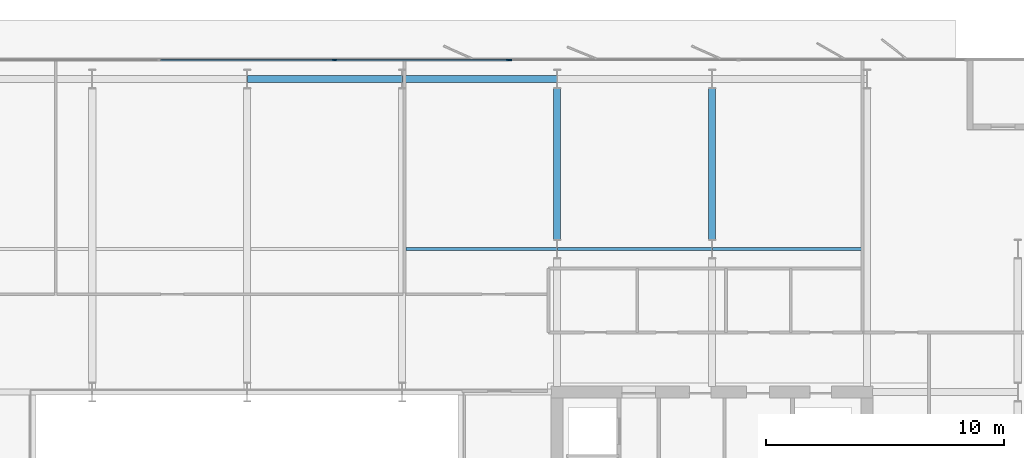
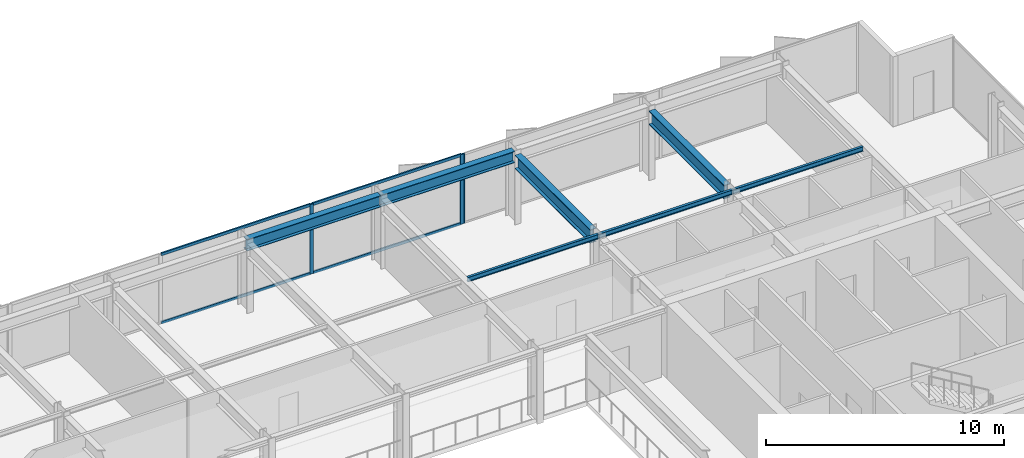
# One storey, part 12 of 23: 7 beams, 7 members, 2 elements without a shape of their own.
"""IFC4 building model written with IfcOpenShell, lengths in metres."""

from ifc_helpers import new_model, si_unit, direction, frame, origin, origin_2d, place, context, subcontext, project, spatial, rectangle, i_section, extrude, material, layer, layer_set, material_profile, profile_set, type_object, element, aggregate, save


model = new_model("IFC4")

# Units and contexts
model_context = context("Model", 3, precision=1e-05, world=origin(), true_north=direction((0.0, 1.0)))
body_context = subcontext(model_context, "Body", "Model", "MODEL_VIEW")
ifc_project = project(units=[si_unit("LENGTHUNIT", "METRE"), si_unit("AREAUNIT", "SQUARE_METRE"), si_unit("VOLUMEUNIT", "CUBIC_METRE"), si_unit("PLANEANGLEUNIT", "RADIAN"), si_unit("MASSUNIT", "GRAM", prefix="KILO")], contexts=[model_context])

# Site, building, storey
site_placement = place(None, origin())
site = spatial("IfcSite", under=ifc_project, at=site_placement, CompositionType="ELEMENT")
building_placement = place(site_placement, origin())
building = spatial("IfcBuilding", under=site, at=building_placement, Name="Putna Gate Headquarters", CompositionType="ELEMENT")
storey_placement = place(building_placement, frame((0.0, 0.0, 202.39990234375)))
storey = spatial("IfcBuildingStorey", under=building, at=storey_placement, Name="L50", CompositionType="ELEMENT", Elevation=202.39990234375)

# Beams
ifc_material_1 = material(Name="Steel S355J2", Category="steel")
ifc_material_profile_1 = material_profile(ifc_material_1, i_section(OverallWidth=0.300048828125, OverallDepth=0.699951171875, WebThickness=0.01708984375, FlangeThickness=0.031982421875, at=origin_2d()), Name="Steel S355J2")
ifc_profile_set_1 = profile_set([ifc_material_profile_1], Name="Steel S355J2")
beam_type_1 = type_object("IfcBeamType", Name="BM-GIRD-B-HEB700", PredefinedType="USERDEFINED", material=ifc_profile_set_1)
for number, where, z_axis, x_axis, name in (
    (1, (52.0, 39.39501953125, 3.22998046875), (0.0, 1.0, 0.0), (-1.0, 0.0, 0.0), "L50 North Primary Girder X52-2"),
    (2, (58.5, 39.39501953125, 3.22998046875), (0.0, 1.0, 0.0), (-1.0, 0.0, 0.0), "L50 North Primary Girder X58-2"),
):
    element("IfcBeam", number, at=place(storey_placement, frame(where, z_axis=z_axis, x_axis=x_axis)), inside=storey, type_object=beam_type_1, Name=name, ObjectType="GIRDER", PredefinedType="USERDEFINED", context=body_context, shape_type="SweptSolid", body=[
        extrude(i_section(OverallWidth=0.300048828125, OverallDepth=0.699951171875, WebThickness=0.01708984375, FlangeThickness=0.031982421875, at=origin_2d()), origin(), (0.0, 0.0, 1.0), 6.330078125),
    ])
ifc_material_profile_2 = material_profile(ifc_material_1, i_section(OverallWidth=0.1201171875, OverallDepth=0.239990234375, WebThickness=0.006103515625, FlangeThickness=0.009765625, at=origin_2d()), Name="Steel S355J2")
ifc_profile_set_2 = profile_set([ifc_material_profile_2], Name="Steel S355J2")
beam_type_2 = type_object("IfcBeamType", Name="BM-SEC-Z4-IPE240", PredefinedType="JOIST", material=ifc_profile_set_2)
beam_1_placement = place(storey_placement, frame((45.654052734375, 39.0, 3.460205078125), z_axis=(1.0, 0.0, 0.0), x_axis=(0.0, 1.0, 0.0)))
element("IfcBeam", 3, at=beam_1_placement, inside=storey, type_object=beam_type_2, Name="L50 North Secondary Beam 6", PredefinedType="JOIST", context=body_context, shape_type="SweptSolid", body=[
    extrude(i_section(OverallWidth=0.1201171875, OverallDepth=0.239990234375, WebThickness=0.006103515625, FlangeThickness=0.009765625, at=origin_2d()), origin(), (0.0, 0.0, 1.0), 6.33984375),
])
beam_2_placement = place(storey_placement, frame((52.006103515625, 39.0, 3.460205078125), z_axis=(1.0, 0.0, 0.0), x_axis=(0.0, 1.0, 0.0)))
element("IfcBeam", 4, at=beam_2_placement, inside=storey, type_object=beam_type_2, Name="L50 North Secondary Beam 7", PredefinedType="JOIST", context=body_context, shape_type="SweptSolid", body=[
    extrude(i_section(OverallWidth=0.1201171875, OverallDepth=0.239990234375, WebThickness=0.006103515625, FlangeThickness=0.009765625, at=origin_2d()), origin(), (0.0, 0.0, 1.0), 6.48779296875),
])
beam_3_placement = place(storey_placement, frame((58.506103515625, 39.0, 3.460205078125), z_axis=(1.0, 0.0, 0.0), x_axis=(0.0, 1.0, 0.0)))
element("IfcBeam", 5, at=beam_3_placement, inside=storey, type_object=beam_type_2, Name="L50 North Secondary Beam 8", PredefinedType="JOIST", context=body_context, shape_type="SweptSolid", body=[
    extrude(i_section(OverallWidth=0.1201171875, OverallDepth=0.239990234375, WebThickness=0.006103515625, FlangeThickness=0.009765625, at=origin_2d()), origin(), (0.0, 0.0, 1.0), 6.33984375),
])
ifc_material_profile_3 = material_profile(ifc_material_1, i_section(OverallWidth=0.300048828125, OverallDepth=0.590087890625, WebThickness=0.012939453125, FlangeThickness=0.02490234375, at=origin_2d()), Name="Steel S355J2")
ifc_profile_set_3 = profile_set([ifc_material_profile_3], Name="Steel S355J2")
beam_type_3 = type_object("IfcBeamType", Name="BM-SPAN-Z4-HEA600", PredefinedType="SPANDREL", material=ifc_profile_set_3)
for number, where, z_axis, x_axis, name in (
    (6, (39.006103515625, 46.1201171875, 3.28515625), (1.0, 0.0, 0.0), (0.0, 1.0, 0.0), "L50 N Perimeter Spandrel 5"),
    (7, (45.506103515625, 46.1201171875, 3.28515625), (1.0, 0.0, 0.0), (0.0, 1.0, 0.0), "L50 N Perimeter Spandrel 6"),
):
    element("IfcBeam", number, at=place(storey_placement, frame(where, z_axis=z_axis, x_axis=x_axis)), inside=storey, type_object=beam_type_3, Name=name, PredefinedType="SPANDREL", context=body_context, shape_type="SweptSolid", body=[
        extrude(i_section(OverallWidth=0.300048828125, OverallDepth=0.590087890625, WebThickness=0.012939453125, FlangeThickness=0.02490234375, at=origin_2d()), origin(), (0.0, 0.0, 1.0), 6.48779296875),
    ])

# Curtain wall, member
ifc_material_2 = material(Name="Anodised bronze aluminium curtain wall", Category="aluminium")
ifc_layer_1 = layer(ifc_material_2, 0.139892578125)
ifc_layer_set_1 = layer_set([ifc_layer_1], Name="Anodised bronze aluminium curtain wall")
curtain_wall_type_1 = type_object("IfcCurtainWallType", Name="CW-SYS-Z4", PredefinedType="USERDEFINED", material=ifc_layer_set_1)
curtain_wall_1_placement = place(storey_placement, origin())
curtain_wall_1 = element("IfcCurtainWall", 8, at=curtain_wall_1_placement, inside=storey, type_object=curtain_wall_type_1, Name="L50 North East Curtain Wall", ObjectType="STICK CURTAIN WALL", PredefinedType="USERDEFINED")
ifc_material_3 = material(Name="Anodised bronze aluminium EN AW-6060", Category="aluminium")
ifc_material_profile_4 = material_profile(ifc_material_3, rectangle(XDim=0.06005859375, YDim=0.139892578125, at=origin_2d()), Name="Anodised bronze aluminium EN AW-6060")
ifc_profile_set_4 = profile_set([ifc_material_profile_4], Name="Anodised bronze aluminium EN AW-6060")
member_type_1 = type_object("IfcMemberType", Name="MULL-CWM-4", PredefinedType="MULLION", material=ifc_profile_set_4)
member_1_placement = place(storey_placement, frame((50.030029296875, 46.919921875, 0.0), z_axis=(0.0, 0.0, 1.0), x_axis=(0.0, 1.0, 0.0)))
member_1 = element("IfcMember", 9, at=member_1_placement, type_object=member_type_1, Name="CWS-4 mullion 1", PredefinedType="MULLION", context=body_context, shape_type="SweptSolid", body=[
    extrude(rectangle(XDim=0.06005859375, YDim=0.139892578125, at=origin_2d()), origin(), (0.0, 0.0, 1.0), 3.580078125),
])
aggregate(curtain_wall_1, [member_1])

# Curtain wall, members
ifc_layer_2 = layer(ifc_material_2, 0.179931640625)
ifc_layer_set_2 = layer_set([ifc_layer_2], Name="Anodised bronze aluminium curtain wall")
curtain_wall_type_2 = type_object("IfcCurtainWallType", Name="CW-SYS-ATR", PredefinedType="USERDEFINED", material=ifc_layer_set_2)
curtain_wall_2_placement = place(storey_placement, origin())
curtain_wall_2 = element("IfcCurtainWall", 10, at=curtain_wall_2_placement, inside=storey, type_object=curtain_wall_type_2, Name="L50 North Atrium Clear Glazing", ObjectType="ATRIUM GLAZING", PredefinedType="USERDEFINED")
ifc_material_profile_5 = material_profile(ifc_material_3, rectangle(XDim=0.070068359375, YDim=0.179931640625, at=origin_2d()), Name="Anodised bronze aluminium EN AW-6060")
ifc_profile_set_5 = profile_set([ifc_material_profile_5], Name="Anodised bronze aluminium EN AW-6060")
member_type_2 = type_object("IfcMemberType", Name="MULL-CWM-AT", PredefinedType="MULLION", material=ifc_profile_set_5)
member_2_placement = place(storey_placement, frame((42.666748046875, 46.919921875, 0.0), z_axis=(0.0, 0.0, 1.0), x_axis=(0.0, 1.0, 0.0)))
member_2 = element("IfcMember", 11, at=member_2_placement, type_object=member_type_2, Name="CWS-AT mullion 3", PredefinedType="MULLION", context=body_context, shape_type="SweptSolid", body=[
    extrude(rectangle(XDim=0.070068359375, YDim=0.179931640625, at=origin_2d()), origin(), (0.0, 0.0, 1.0), 3.580078125),
])
member_3_placement = place(storey_placement, frame((49.965087890625, 46.919921875, 0.0), z_axis=(0.0, 0.0, 1.0), x_axis=(0.0, 1.0, 0.0)))
member_3 = element("IfcMember", 12, at=member_3_placement, type_object=member_type_2, Name="CWS-AT mullion 4", PredefinedType="MULLION", context=body_context, shape_type="SweptSolid", body=[
    extrude(rectangle(XDim=0.070068359375, YDim=0.179931640625, at=origin_2d()), origin(), (0.0, 0.0, 1.0), 3.580078125),
])
ifc_material_profile_6 = material_profile(ifc_material_3, rectangle(XDim=0.070068359375, YDim=0.139892578125, at=origin_2d()), Name="Anodised bronze aluminium EN AW-6060")
ifc_profile_set_6 = profile_set([ifc_material_profile_6], Name="Anodised bronze aluminium EN AW-6060")
member_type_3 = type_object("IfcMemberType", Name="TRAN-CWT-AT", PredefinedType="USERDEFINED", material=ifc_profile_set_6)
member_4_placement = place(storey_placement, frame((35.368408203125, 46.919921875, 0.03515625), z_axis=(1.0, 0.0, 0.0), x_axis=(0.0, 1.0, 0.0)))
member_4 = element("IfcMember", 13, at=member_4_placement, type_object=member_type_3, Name="CWS-AT transom 2.1", ObjectType="TRANSOM", PredefinedType="USERDEFINED", context=body_context, shape_type="SweptSolid", body=[
    extrude(rectangle(XDim=0.070068359375, YDim=0.139892578125, at=origin_2d()), origin(), (0.0, 0.0, 1.0), 7.26318359375),
])
member_5_placement = place(storey_placement, frame((35.368408203125, 46.919921875, 3.545166015625), z_axis=(1.0, 0.0, 0.0), x_axis=(0.0, 1.0, 0.0)))
member_5 = element("IfcMember", 14, at=member_5_placement, type_object=member_type_3, Name="CWS-AT transom 2.2", ObjectType="TRANSOM", PredefinedType="USERDEFINED", context=body_context, shape_type="SweptSolid", body=[
    extrude(rectangle(XDim=0.070068359375, YDim=0.139892578125, at=origin_2d()), origin(), (0.0, 0.0, 1.0), 7.26318359375),
])
member_6_placement = place(storey_placement, frame((42.70166015625, 46.919921875, 0.03515625), z_axis=(1.0, 0.0, 0.0), x_axis=(0.0, 1.0, 0.0)))
member_6 = element("IfcMember", 15, at=member_6_placement, type_object=member_type_3, Name="CWS-AT transom 3.1", ObjectType="TRANSOM", PredefinedType="USERDEFINED", context=body_context, shape_type="SweptSolid", body=[
    extrude(rectangle(XDim=0.070068359375, YDim=0.139892578125, at=origin_2d()), origin(), (0.0, 0.0, 1.0), 7.228271484375),
])
member_7_placement = place(storey_placement, frame((42.70166015625, 46.919921875, 3.545166015625), z_axis=(1.0, 0.0, 0.0), x_axis=(0.0, 1.0, 0.0)))
member_7 = element("IfcMember", 16, at=member_7_placement, type_object=member_type_3, Name="CWS-AT transom 3.2", ObjectType="TRANSOM", PredefinedType="USERDEFINED", context=body_context, shape_type="SweptSolid", body=[
    extrude(rectangle(XDim=0.070068359375, YDim=0.139892578125, at=origin_2d()), origin(), (0.0, 0.0, 1.0), 7.228271484375),
])
aggregate(curtain_wall_2, [member_2, member_3, member_4, member_5, member_6, member_7])

save(model, "model.ifc")
